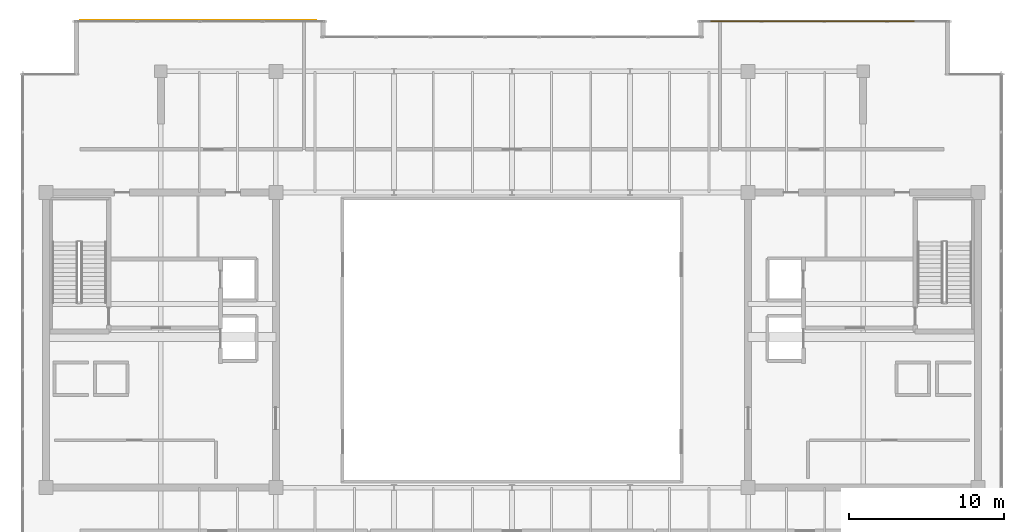
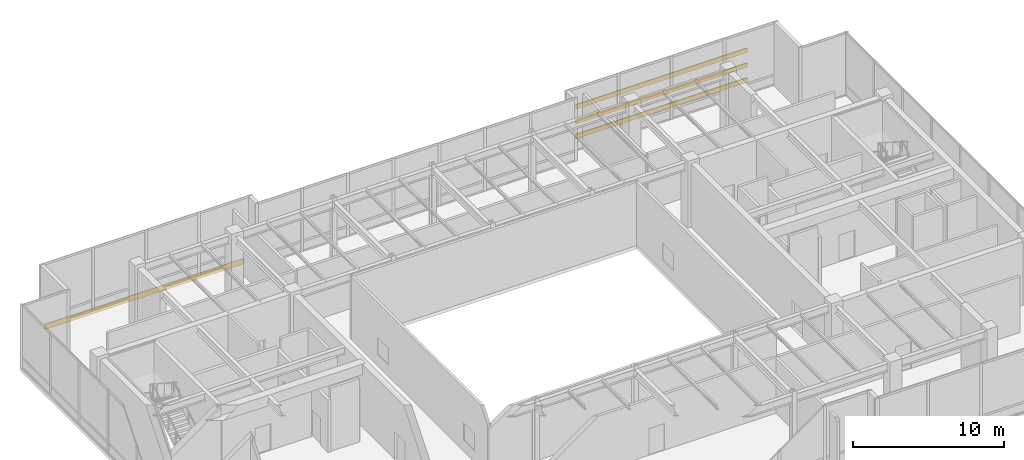
# One storey, part 30 of 30: 3 shading devices, 1 covering.
"""IFC4 building model written with IfcOpenShell, lengths in metres."""

from ifc_helpers import new_model, si_unit, direction, frame, frame_2d, origin, origin_2d, place, context, subcontext, project, spatial, rectangle, extrude, source, transform, mapped, material, layer, layer_set, material_profile, profile_set, type_object, type_shapes, element, save


model = new_model("IFC4")

# Units and contexts
model_context = context("Model", 3, precision=1e-05, world=origin(), true_north=direction((0.0, 1.0)))
body_context = subcontext(model_context, "Body", "Model", "MODEL_VIEW")
ifc_project = project(units=[si_unit("LENGTHUNIT", "METRE"), si_unit("AREAUNIT", "SQUARE_METRE"), si_unit("VOLUMEUNIT", "CUBIC_METRE"), si_unit("PLANEANGLEUNIT", "RADIAN"), si_unit("MASSUNIT", "GRAM", prefix="KILO")], contexts=[model_context])

# Site, building, storey
site_placement = place(None, origin())
site = spatial("IfcSite", under=ifc_project, at=site_placement, CompositionType="ELEMENT")
building_placement = place(site_placement, origin())
building = spatial("IfcBuilding", under=site, at=building_placement, Name="Haelvirn Gate Laboratories", CompositionType="ELEMENT")
storey_placement = place(building_placement, frame((0.0, 0.0, 327.0)))
storey = spatial("IfcBuildingStorey", under=building, at=storey_placement, Name="L78", CompositionType="ELEMENT", Elevation=327.0)

# Covering
ifc_material_1 = material(Name="Anodised bronze honeycomb aluminium spandrel cladding", Category="aluminium")
ifc_layer = layer(ifc_material_1, 0.044921875, Name="COV-CLAD-BRZ")
ifc_layer_set = layer_set([ifc_layer], Name="Anodised bronze honeycomb aluminium spandrel cladding")
covering_type = type_object("IfcCoveringType", Name="COV-CLAD-BRZ", PredefinedType="CLADDING", material=ifc_layer_set)
covering_placement = place(storey_placement, frame((9.60009765625, 44.8701171875, -0.300048828125), z_axis=(0.0, 0.0, 1.0), x_axis=(1.0, 0.0, 0.0)))
element("IfcCovering", 1, at=covering_placement, inside=storey, type_object=covering_type, Name="L78 Bronze Slab-Edge Spandrel Cladding NW", PredefinedType="CLADDING", context=body_context, shape_type="SweptSolid", body=[
    extrude(rectangle(XDim=15.199951171875, YDim=0.044921875, at=frame_2d((7.60009765625, 0.0))), origin(), (0.0, 0.0, 1.0), 0.449951171875),
])

# Shading devices
ifc_material_2 = material(Name="Extruded aluminium 6063-T6 (anodised bronze)", Category="aluminium")
ifc_material_profile = material_profile(ifc_material_2, rectangle(XDim=0.080078125, YDim=0.360107421875, at=origin_2d()), Name="LOUV-360x80")
ifc_profile_set = profile_set([ifc_material_profile], Name="Extruded aluminium 6063-T6 (anodised bronze)")
shading_device_type = type_object("IfcShadingDeviceType", Name="SHD-LOUV-360", PredefinedType="USERDEFINED", material=ifc_profile_set)
shared_shape = source(origin(), body_context, "Body", "SweptSolid", [
    extrude(rectangle(XDim=0.080078125, YDim=0.360107421875, at=origin_2d()), origin(), (0.0, 0.0, 1.0), 13.10009765625),
])
type_shapes(shading_device_type, [shared_shape])
for number, where, z_axis, x_axis, name in (
    (2, (50.199951171875, 44.820068359375, 1.14990234375), (1.0, 0.0, 0.0), (0.0, 1.0, 0.0), "L78 North Acoustic Plant Louvre 1"),
    (3, (50.199951171875, 44.820068359375, 2.35009765625), (1.0, 0.0, 0.0), (0.0, 1.0, 0.0), "L78 North Acoustic Plant Louvre 2"),
    (4, (50.199951171875, 44.820068359375, 3.550048828125), (1.0, 0.0, 0.0), (0.0, 1.0, 0.0), "L78 North Acoustic Plant Louvre 3"),
):
    element("IfcShadingDevice", number, at=place(storey_placement, frame(where, z_axis=z_axis, x_axis=x_axis)), inside=storey, type_object=shading_device_type, Name=name, ObjectType="LOUVRE", PredefinedType="USERDEFINED", context=body_context, shape_type="MappedRepresentation", body=[
        mapped(shared_shape, transform((0.0, 0.0, 0.0), scale=1.0)),
    ])

save(model, "model.ifc")
